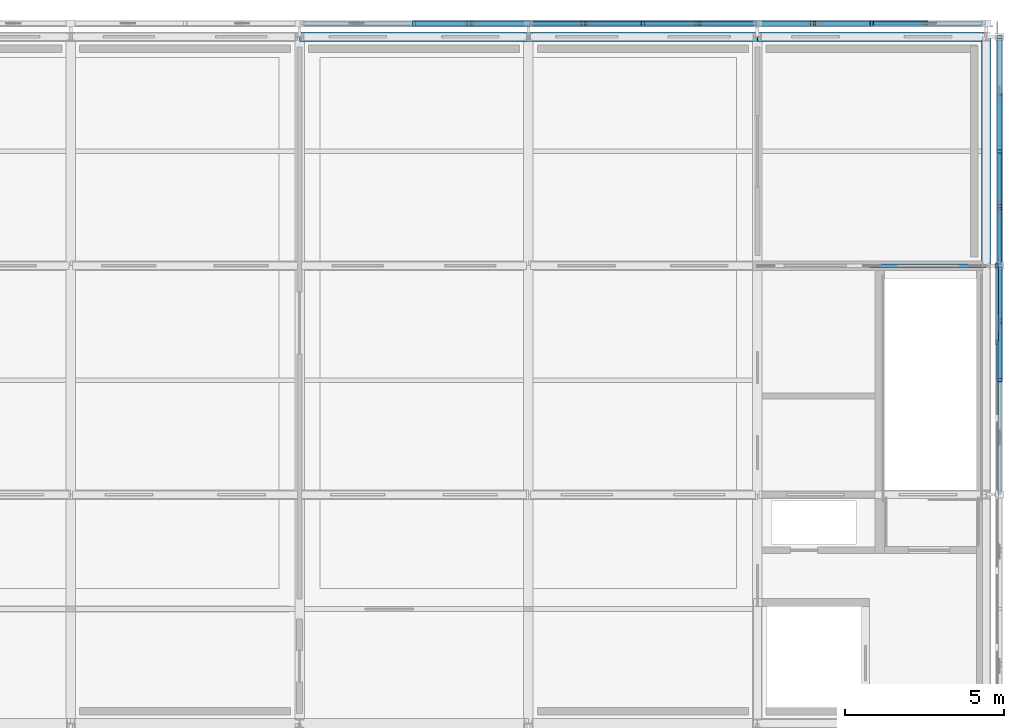
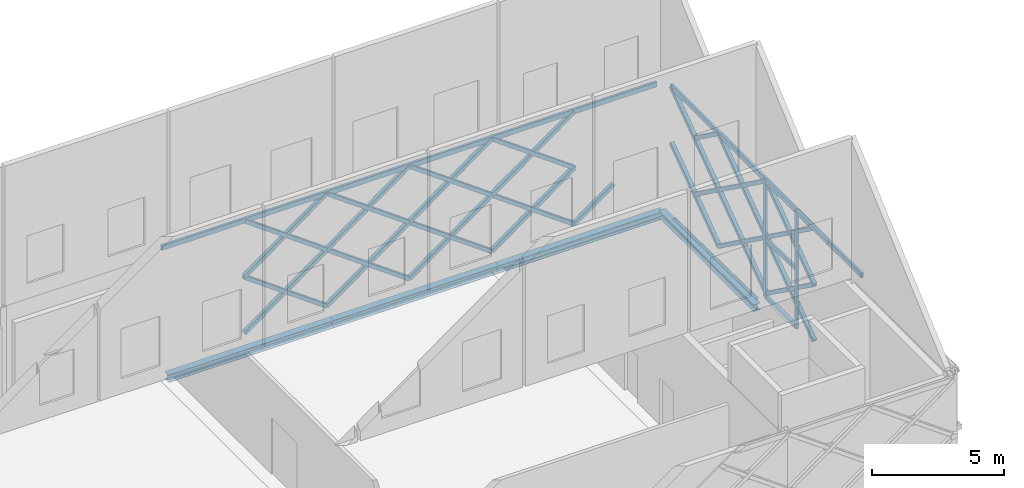
# One storey, part 17 of 31: 53 members, 4 beams, 1 element without a shape of its own.
"""IFC4 building model written with IfcOpenShell, lengths in metres."""

from ifc_helpers import new_model, si_unit, direction, frame, origin, origin_2d, place, context, subcontext, project, spatial, rectangle, hollow_rectangle, i_section, extrude, material, material_profile, profile_set, type_object, element, aggregate, save


model = new_model("IFC4")

# Units and contexts
model_context = context("Model", 3, precision=1e-05, world=origin(), true_north=direction((0.0, 1.0)))
body_context = subcontext(model_context, "Body", "Model", "MODEL_VIEW")
ifc_project = project(units=[si_unit("LENGTHUNIT", "METRE"), si_unit("AREAUNIT", "SQUARE_METRE"), si_unit("VOLUMEUNIT", "CUBIC_METRE"), si_unit("PLANEANGLEUNIT", "RADIAN"), si_unit("MASSUNIT", "GRAM", prefix="KILO")], contexts=[model_context])

# Site, building, storey
site_placement = place(None, origin())
site = spatial("IfcSite", under=ifc_project, at=site_placement, CompositionType="ELEMENT")
building_placement = place(site_placement, origin())
building = spatial("IfcBuilding", under=site, at=building_placement, Name="Zlatovets Crest Museum", CompositionType="ELEMENT")
storey_placement = place(building_placement, frame((0.0, 0.0, 25.199951171875)))
storey = spatial("IfcBuildingStorey", under=building, at=storey_placement, Name="L05", CompositionType="ELEMENT", Elevation=25.199951171875)

# Beams
ifc_material_1 = material(Name="Structural steel S355J2", Category="steel")
ifc_material_profile_1 = material_profile(ifc_material_1, i_section(OverallWidth=0.300048828125, OverallDepth=0.35009765625, WebThickness=0.010009765625, FlangeThickness=0.017578125, FilletRadius=0.027099609375, at=origin_2d()), Name="HEA 360")
ifc_profile_set_1 = profile_set([ifc_material_profile_1], Name="Structural steel S355J2")
beam_type_1 = type_object("IfcBeamType", Name="Beam_B-03", PredefinedType="BEAM", material=ifc_profile_set_1)
beam_1_placement = place(storey_placement, frame((86.39990234375, 115.199951171875, -0.4150390625), z_axis=(1.0, 0.0, 0.0), x_axis=(0.0, 1.0, 0.0)))
element("IfcBeam", 1, at=beam_1_placement, inside=storey, type_object=beam_type_1, Name="V1 L05 Primary Girder B-03", PredefinedType="BEAM", context=body_context, shape_type="SweptSolid", body=[
    extrude(i_section(OverallWidth=0.300048828125, OverallDepth=0.35009765625, WebThickness=0.010009765625, FlangeThickness=0.017578125, FilletRadius=0.027099609375, at=origin_2d()), origin(), (0.0, 0.0, 1.0), 7.2001953125),
])
for number, where, z_axis, x_axis, name in (
    (2, (93.60009765625, 115.199951171875, -0.4150390625), (1.0, 0.0, 0.0), (0.0, 1.0, 0.0), "V1 L05 Primary Girder B-03"),
    (3, (100.800048828125, 115.199951171875, -0.4150390625), (1.0, 0.0, 0.0), (0.0, 1.0, 0.0), "V1 L05 Primary Girder B-03"),
):
    element("IfcBeam", number, at=place(storey_placement, frame(where, z_axis=z_axis, x_axis=x_axis)), inside=storey, type_object=beam_type_1, Name=name, PredefinedType="BEAM", context=body_context, shape_type="SweptSolid", body=[
        extrude(i_section(OverallWidth=0.300048828125, OverallDepth=0.35009765625, WebThickness=0.010009765625, FlangeThickness=0.017578125, FilletRadius=0.027099609375, at=origin_2d()), origin(), (0.0, 0.0, 1.0), 7.199951171875),
    ])
ifc_material_profile_2 = material_profile(ifc_material_1, i_section(OverallWidth=0.300048828125, OverallDepth=0.31005859375, WebThickness=0.009033203125, FlangeThickness=0.015380859375, FilletRadius=0.027099609375, at=origin_2d()), Name="HEA 320")
ifc_profile_set_2 = profile_set([ifc_material_profile_2], Name="Structural steel S355J2")
beam_type_2 = type_object("IfcBeamType", Name="Beam_B-04", PredefinedType="BEAM", material=ifc_profile_set_2)
beam_2_placement = place(storey_placement, frame((108.0, 108.0, -0.39501953125), z_axis=(0.0, 1.0, 0.0), x_axis=(-1.0, 0.0, 0.0)))
element("IfcBeam", 4, at=beam_2_placement, inside=storey, type_object=beam_type_2, Name="V1 L05 Grid Beam B-04", PredefinedType="BEAM", context=body_context, shape_type="SweptSolid", body=[
    extrude(i_section(OverallWidth=0.300048828125, OverallDepth=0.31005859375, WebThickness=0.009033203125, FlangeThickness=0.015380859375, FilletRadius=0.027099609375, at=origin_2d()), origin(), (0.0, 0.0, 1.0), 7.199951171875),
])

# Curtain wall, members
ifc_material_2 = material(Name="Bronze-anodised aluminium and low-E triple glass", Category="aluminium")
curtain_wall_type = type_object("IfcCurtainWallType", Name="CW_CW-V1-L05-M0", PredefinedType="NOTDEFINED", material=ifc_material_2)
curtain_wall_placement = place(storey_placement, origin())
curtain_wall = element("IfcCurtainWall", 5, at=curtain_wall_placement, inside=storey, type_object=curtain_wall_type, Name="V1 L05 Expressed Core Glazed Facade", PredefinedType="NOTDEFINED")
ifc_material_3 = material(Name="Bronze-anodised aluminium EN AW-6060", Category="aluminium")
ifc_material_profile_3 = material_profile(ifc_material_3, rectangle(XDim=0.090087890625, YDim=0.199951171875, at=origin_2d()), Name="ALU 90x200")
ifc_profile_set_3 = profile_set([ifc_material_profile_3], Name="Bronze-anodised aluminium EN AW-6060")
member_type_1 = type_object("IfcMemberType", Name="CWMull_M2", PredefinedType="MULLION", material=ifc_profile_set_3)
member_1_placement = place(storey_placement, frame((108.340087890625, 105.60009765625, 0.0), z_axis=(0.0, 0.0, 1.0), x_axis=(-1.0, 0.0, 0.0)))
member_1 = element("IfcMember", 6, at=member_1_placement, type_object=member_type_1, Name="CW-V1-L05-M0 mullion 3", PredefinedType="MULLION", context=body_context, shape_type="SweptSolid", body=[
    extrude(rectangle(XDim=0.090087890625, YDim=0.199951171875, at=origin_2d()), origin(), (0.0, 0.0, 1.0), 5.400146484375),
])
member_2_placement = place(storey_placement, frame((108.340087890625, 107.969970703125, 0.0), z_axis=(0.0, 0.0, 1.0), x_axis=(-1.0, 0.0, 0.0)))
member_2 = element("IfcMember", 7, at=member_2_placement, type_object=member_type_1, Name="CW-V1-L05-M0 mullion 4", PredefinedType="MULLION", context=body_context, shape_type="SweptSolid", body=[
    extrude(rectangle(XDim=0.090087890625, YDim=0.199951171875, at=origin_2d()), origin(), (0.0, 0.0, 1.0), 5.400146484375),
])
ifc_material_profile_4 = material_profile(ifc_material_3, rectangle(XDim=0.090087890625, YDim=0.199951171875, at=origin_2d()), Name="ALU 90x200")
ifc_profile_set_4 = profile_set([ifc_material_profile_4], Name="Bronze-anodised aluminium EN AW-6060")
member_type_2 = type_object("IfcMemberType", Name="CWTrans_T2", PredefinedType="USERDEFINED", material=ifc_profile_set_4)
member_3_placement = place(storey_placement, frame((108.340087890625, 103.22998046875, 5.3701171875), z_axis=(0.0, 1.0, 0.0), x_axis=(-1.0, 0.0, 0.0)))
member_3 = element("IfcMember", 8, at=member_3_placement, type_object=member_type_2, Name="CW-V1-L05-M0 transom 2.3", ObjectType="TRANSOM", PredefinedType="USERDEFINED", context=body_context, shape_type="SweptSolid", body=[
    extrude(rectangle(XDim=0.090087890625, YDim=0.199951171875, at=origin_2d()), origin(), (0.0, 0.0, 1.0), 2.340087890625),
])
member_4_placement = place(storey_placement, frame((108.340087890625, 105.6298828125, 0.030029296875), z_axis=(0.0, 1.0, 0.0), x_axis=(-1.0, 0.0, 0.0)))
member_4 = element("IfcMember", 9, at=member_4_placement, type_object=member_type_2, Name="CW-V1-L05-M0 transom 3.1", ObjectType="TRANSOM", PredefinedType="USERDEFINED", context=body_context, shape_type="SweptSolid", body=[
    extrude(rectangle(XDim=0.090087890625, YDim=0.199951171875, at=origin_2d()), origin(), (0.0, 0.0, 1.0), 2.31005859375),
])
member_5_placement = place(storey_placement, frame((108.340087890625, 105.6298828125, 2.699951171875), z_axis=(0.0, 1.0, 0.0), x_axis=(-1.0, 0.0, 0.0)))
member_5 = element("IfcMember", 10, at=member_5_placement, type_object=member_type_2, Name="CW-V1-L05-M0 transom 3.2", ObjectType="TRANSOM", PredefinedType="USERDEFINED", context=body_context, shape_type="SweptSolid", body=[
    extrude(rectangle(XDim=0.090087890625, YDim=0.199951171875, at=origin_2d()), origin(), (0.0, 0.0, 1.0), 2.31005859375),
])
member_6_placement = place(storey_placement, frame((108.340087890625, 105.6298828125, 5.3701171875), z_axis=(0.0, 1.0, 0.0), x_axis=(-1.0, 0.0, 0.0)))
member_6 = element("IfcMember", 11, at=member_6_placement, type_object=member_type_2, Name="CW-V1-L05-M0 transom 3.3", ObjectType="TRANSOM", PredefinedType="USERDEFINED", context=body_context, shape_type="SweptSolid", body=[
    extrude(rectangle(XDim=0.090087890625, YDim=0.199951171875, at=origin_2d()), origin(), (0.0, 0.0, 1.0), 2.31005859375),
])
aggregate(curtain_wall, [member_1, member_2, member_3, member_4, member_5, member_6])

# Members
ifc_material_4 = material(Name="Weathering bronze-steel S355J2W", Category="steel")
ifc_material_profile_5 = material_profile(ifc_material_4, hollow_rectangle(XDim=0.179931640625, YDim=0.179931640625, WallThickness=0.010009765625, InnerFilletRadius=0.010009765625, OuterFilletRadius=0.02001953125, at=origin_2d()), Name="SHS 180x180x10.0")
ifc_profile_set_5 = profile_set([ifc_material_profile_5], Name="Weathering bronze-steel S355J2W")
member_type_3 = type_object("IfcMemberType", Name="Lattice_XL-01", PredefinedType="BRACE", material=ifc_profile_set_5)
member_7_placement = place(storey_placement, frame((108.419921875, 104.39990234375, 0.10009765625), z_axis=(0.0, 0.810702423259, 0.585458436545), x_axis=(-1.0, 0.0, 0.0)))
element("IfcMember", 12, at=member_7_placement, inside=storey, type_object=member_type_3, Name="Continuous Bronze Lattice Diagonal", PredefinedType="BRACE", context=body_context, shape_type="SweptSolid", body=[
    extrude(hollow_rectangle(XDim=0.179931640625, YDim=0.179931640625, WallThickness=0.010009765625, InnerFilletRadius=0.010009765625, OuterFilletRadius=0.02001953125, at=origin_2d()), origin(), (0.0, 0.0, 1.0), 4.440673828125),
])
member_8_placement = place(storey_placement, frame((108.419921875, 104.39990234375, 2.699951171875), z_axis=(0.0, 0.810703458452, -0.585457003079), x_axis=(-1.0, 0.0, 0.0)))
element("IfcMember", 13, at=member_8_placement, inside=storey, type_object=member_type_3, Name="Split Crossing Bronze Lattice Diagonal Upper", PredefinedType="BRACE", context=body_context, shape_type="SweptSolid", body=[
    extrude(hollow_rectangle(XDim=0.179931640625, YDim=0.179931640625, WallThickness=0.010009765625, InnerFilletRadius=0.010009765625, OuterFilletRadius=0.02001953125, at=origin_2d()), origin(), (0.0, 0.0, 1.0), 2.12548828125),
])
member_9_placement = place(storey_placement, frame((108.419921875, 106.277099609375, 1.344482421875), z_axis=(0.0, 0.810664082502, -0.585511524516), x_axis=(-1.0, 0.0, 0.0)))
element("IfcMember", 14, at=member_9_placement, inside=storey, type_object=member_type_3, Name="Split Crossing Bronze Lattice Diagonal Lower", PredefinedType="BRACE", context=body_context, shape_type="SweptSolid", body=[
    extrude(hollow_rectangle(XDim=0.179931640625, YDim=0.179931640625, WallThickness=0.010009765625, InnerFilletRadius=0.010009765625, OuterFilletRadius=0.02001953125, at=origin_2d()), origin(), (0.0, 0.0, 1.0), 2.125244140625),
])
member_10_placement = place(storey_placement, frame((108.419921875, 104.39990234375, 2.699951171875), z_axis=(0.0, 0.810676329046, 0.585494568313), x_axis=(-1.0, 0.0, 0.0)))
element("IfcMember", 15, at=member_10_placement, inside=storey, type_object=member_type_3, Name="Continuous Bronze Lattice Diagonal", PredefinedType="BRACE", context=body_context, shape_type="SweptSolid", body=[
    extrude(hollow_rectangle(XDim=0.179931640625, YDim=0.179931640625, WallThickness=0.010009765625, InnerFilletRadius=0.010009765625, OuterFilletRadius=0.02001953125, at=origin_2d()), origin(), (0.0, 0.0, 1.0), 4.44091796875),
])
member_11_placement = place(storey_placement, frame((108.419921875, 104.39990234375, 5.300048828125), z_axis=(0.0, 0.810703458452, -0.585457003079), x_axis=(-1.0, 0.0, 0.0)))
element("IfcMember", 16, at=member_11_placement, inside=storey, type_object=member_type_3, Name="Split Crossing Bronze Lattice Diagonal Upper", PredefinedType="BRACE", context=body_context, shape_type="SweptSolid", body=[
    extrude(hollow_rectangle(XDim=0.179931640625, YDim=0.179931640625, WallThickness=0.010009765625, InnerFilletRadius=0.010009765625, OuterFilletRadius=0.02001953125, at=origin_2d()), origin(), (0.0, 0.0, 1.0), 2.12548828125),
])
member_12_placement = place(storey_placement, frame((108.419921875, 106.277099609375, 3.9443359375), z_axis=(0.0, 0.810664082502, -0.585511524516), x_axis=(-1.0, 0.0, 0.0)))
element("IfcMember", 17, at=member_12_placement, inside=storey, type_object=member_type_3, Name="Split Crossing Bronze Lattice Diagonal Lower", PredefinedType="BRACE", context=body_context, shape_type="SweptSolid", body=[
    extrude(hollow_rectangle(XDim=0.179931640625, YDim=0.179931640625, WallThickness=0.010009765625, InnerFilletRadius=0.010009765625, OuterFilletRadius=0.02001953125, at=origin_2d()), origin(), (0.0, 0.0, 1.0), 2.125244140625),
])
member_13_placement = place(storey_placement, frame((108.419921875, 108.0, 0.10009765625), z_axis=(0.0, 0.810702423259, 0.585458436545), x_axis=(-1.0, 0.0, 0.0)))
element("IfcMember", 18, at=member_13_placement, inside=storey, type_object=member_type_3, Name="Continuous Bronze Lattice Diagonal", PredefinedType="BRACE", context=body_context, shape_type="SweptSolid", body=[
    extrude(hollow_rectangle(XDim=0.179931640625, YDim=0.179931640625, WallThickness=0.010009765625, InnerFilletRadius=0.010009765625, OuterFilletRadius=0.02001953125, at=origin_2d()), origin(), (0.0, 0.0, 1.0), 4.440673828125),
])
member_14_placement = place(storey_placement, frame((108.419921875, 108.0, 2.699951171875), z_axis=(0.0, 0.810664082502, -0.585511524516), x_axis=(-1.0, 0.0, 0.0)))
element("IfcMember", 19, at=member_14_placement, inside=storey, type_object=member_type_3, Name="Split Crossing Bronze Lattice Diagonal Upper", PredefinedType="BRACE", context=body_context, shape_type="SweptSolid", body=[
    extrude(hollow_rectangle(XDim=0.179931640625, YDim=0.179931640625, WallThickness=0.010009765625, InnerFilletRadius=0.010009765625, OuterFilletRadius=0.02001953125, at=origin_2d()), origin(), (0.0, 0.0, 1.0), 2.125244140625),
])
member_15_placement = place(storey_placement, frame((108.419921875, 109.876953125, 1.344482421875), z_axis=(0.0, 0.810703458452, -0.585457003079), x_axis=(-1.0, 0.0, 0.0)))
element("IfcMember", 20, at=member_15_placement, inside=storey, type_object=member_type_3, Name="Split Crossing Bronze Lattice Diagonal Lower", PredefinedType="BRACE", context=body_context, shape_type="SweptSolid", body=[
    extrude(hollow_rectangle(XDim=0.179931640625, YDim=0.179931640625, WallThickness=0.010009765625, InnerFilletRadius=0.010009765625, OuterFilletRadius=0.02001953125, at=origin_2d()), origin(), (0.0, 0.0, 1.0), 2.12548828125),
])
member_16_placement = place(storey_placement, frame((108.419921875, 111.60009765625, 0.10009765625), z_axis=(0.0, 0.810683577727, 0.585484531652), x_axis=(-1.0, 0.0, 0.0)))
element("IfcMember", 21, at=member_16_placement, inside=storey, type_object=member_type_3, Name="Continuous Bronze Lattice Diagonal", PredefinedType="BRACE", context=body_context, shape_type="SweptSolid", body=[
    extrude(hollow_rectangle(XDim=0.179931640625, YDim=0.179931640625, WallThickness=0.010009765625, InnerFilletRadius=0.010009765625, OuterFilletRadius=0.02001953125, at=origin_2d()), origin(), (0.0, 0.0, 1.0), 4.4404296875),
])
member_17_placement = place(storey_placement, frame((108.419921875, 111.60009765625, 2.699951171875), z_axis=(0.0, 0.810664082502, -0.585511524516), x_axis=(-1.0, 0.0, 0.0)))
element("IfcMember", 22, at=member_17_placement, inside=storey, type_object=member_type_3, Name="Split Crossing Bronze Lattice Diagonal Upper", PredefinedType="BRACE", context=body_context, shape_type="SweptSolid", body=[
    extrude(hollow_rectangle(XDim=0.179931640625, YDim=0.179931640625, WallThickness=0.010009765625, InnerFilletRadius=0.010009765625, OuterFilletRadius=0.02001953125, at=origin_2d()), origin(), (0.0, 0.0, 1.0), 2.125244140625),
])
member_18_placement = place(storey_placement, frame((108.419921875, 108.0, 2.699951171875), z_axis=(0.0, 0.810676329046, 0.585494568313), x_axis=(-1.0, 0.0, 0.0)))
element("IfcMember", 23, at=member_18_placement, inside=storey, type_object=member_type_3, Name="Continuous Bronze Lattice Diagonal", PredefinedType="BRACE", context=body_context, shape_type="SweptSolid", body=[
    extrude(hollow_rectangle(XDim=0.179931640625, YDim=0.179931640625, WallThickness=0.010009765625, InnerFilletRadius=0.010009765625, OuterFilletRadius=0.02001953125, at=origin_2d()), origin(), (0.0, 0.0, 1.0), 4.44091796875),
])
member_19_placement = place(storey_placement, frame((108.419921875, 108.0, 5.300048828125), z_axis=(0.0, 0.810664082502, -0.585511524516), x_axis=(-1.0, 0.0, 0.0)))
element("IfcMember", 24, at=member_19_placement, inside=storey, type_object=member_type_3, Name="Split Crossing Bronze Lattice Diagonal Upper", PredefinedType="BRACE", context=body_context, shape_type="SweptSolid", body=[
    extrude(hollow_rectangle(XDim=0.179931640625, YDim=0.179931640625, WallThickness=0.010009765625, InnerFilletRadius=0.010009765625, OuterFilletRadius=0.02001953125, at=origin_2d()), origin(), (0.0, 0.0, 1.0), 2.125244140625),
])
member_20_placement = place(storey_placement, frame((108.419921875, 109.876953125, 3.9443359375), z_axis=(0.0, 0.810703458452, -0.585457003079), x_axis=(-1.0, 0.0, 0.0)))
element("IfcMember", 25, at=member_20_placement, inside=storey, type_object=member_type_3, Name="Split Crossing Bronze Lattice Diagonal Lower", PredefinedType="BRACE", context=body_context, shape_type="SweptSolid", body=[
    extrude(hollow_rectangle(XDim=0.179931640625, YDim=0.179931640625, WallThickness=0.010009765625, InnerFilletRadius=0.010009765625, OuterFilletRadius=0.02001953125, at=origin_2d()), origin(), (0.0, 0.0, 1.0), 2.12548828125),
])
member_21_placement = place(storey_placement, frame((108.419921875, 111.60009765625, 2.699951171875), z_axis=(0.0, 0.810657481794, 0.585520663351), x_axis=(-1.0, 0.0, 0.0)))
element("IfcMember", 26, at=member_21_placement, inside=storey, type_object=member_type_3, Name="Continuous Bronze Lattice Diagonal", PredefinedType="BRACE", context=body_context, shape_type="SweptSolid", body=[
    extrude(hollow_rectangle(XDim=0.179931640625, YDim=0.179931640625, WallThickness=0.010009765625, InnerFilletRadius=0.010009765625, OuterFilletRadius=0.02001953125, at=origin_2d()), origin(), (0.0, 0.0, 1.0), 4.440673828125),
])
member_22_placement = place(storey_placement, frame((108.419921875, 111.60009765625, 5.300048828125), z_axis=(0.0, 0.810664082502, -0.585511524516), x_axis=(-1.0, 0.0, 0.0)))
element("IfcMember", 27, at=member_22_placement, inside=storey, type_object=member_type_3, Name="Split Crossing Bronze Lattice Diagonal Upper", PredefinedType="BRACE", context=body_context, shape_type="SweptSolid", body=[
    extrude(hollow_rectangle(XDim=0.179931640625, YDim=0.179931640625, WallThickness=0.010009765625, InnerFilletRadius=0.010009765625, OuterFilletRadius=0.02001953125, at=origin_2d()), origin(), (0.0, 0.0, 1.0), 2.125244140625),
])
member_23_placement = place(storey_placement, frame((106.123046875, 115.6201171875, 1.344482421875), z_axis=(-0.810703458452, 0.0, -0.585457003079), x_axis=(0.0, -1.0, 0.0)))
element("IfcMember", 28, at=member_23_placement, inside=storey, type_object=member_type_3, Name="Split Crossing Bronze Lattice Diagonal Lower", PredefinedType="BRACE", context=body_context, shape_type="SweptSolid", body=[
    extrude(hollow_rectangle(XDim=0.179931640625, YDim=0.179931640625, WallThickness=0.010009765625, InnerFilletRadius=0.010009765625, OuterFilletRadius=0.02001953125, at=origin_2d()), origin(), (0.0, 0.0, 1.0), 2.12548828125),
])
member_24_placement = place(storey_placement, frame((104.39990234375, 115.6201171875, 0.10009765625), z_axis=(-0.810683577727, 0.0, 0.585484531652), x_axis=(0.0, -1.0, 0.0)))
element("IfcMember", 29, at=member_24_placement, inside=storey, type_object=member_type_3, Name="Continuous Bronze Lattice Diagonal", PredefinedType="BRACE", context=body_context, shape_type="SweptSolid", body=[
    extrude(hollow_rectangle(XDim=0.179931640625, YDim=0.179931640625, WallThickness=0.010009765625, InnerFilletRadius=0.010009765625, OuterFilletRadius=0.02001953125, at=origin_2d()), origin(), (0.0, 0.0, 1.0), 4.4404296875),
])
for number, where, z_axis, x_axis, name in (
    (30, (104.39990234375, 115.6201171875, 2.699951171875), (-0.810664082502, 0.0, -0.585511524516), (0.0, -1.0, 0.0), "Split Crossing Bronze Lattice Diagonal Upper"),
    (31, (102.52294921875, 115.6201171875, 1.344482421875), (-0.810664082502, 0.0, -0.585511524516), (0.0, -1.0, 0.0), "Split Crossing Bronze Lattice Diagonal Lower"),
):
    element("IfcMember", number, at=place(storey_placement, frame(where, z_axis=z_axis, x_axis=x_axis)), inside=storey, type_object=member_type_3, Name=name, PredefinedType="BRACE", context=body_context, shape_type="SweptSolid", body=[
        extrude(hollow_rectangle(XDim=0.179931640625, YDim=0.179931640625, WallThickness=0.010009765625, InnerFilletRadius=0.010009765625, OuterFilletRadius=0.02001953125, at=origin_2d()), origin(), (0.0, 0.0, 1.0), 2.125244140625),
    ])
member_25_placement = place(storey_placement, frame((104.39990234375, 115.6201171875, 2.699951171875), z_axis=(-0.810657481794, 0.0, 0.585520663351), x_axis=(0.0, -1.0, 0.0)))
element("IfcMember", 32, at=member_25_placement, inside=storey, type_object=member_type_3, Name="Continuous Bronze Lattice Diagonal", PredefinedType="BRACE", context=body_context, shape_type="SweptSolid", body=[
    extrude(hollow_rectangle(XDim=0.179931640625, YDim=0.179931640625, WallThickness=0.010009765625, InnerFilletRadius=0.010009765625, OuterFilletRadius=0.02001953125, at=origin_2d()), origin(), (0.0, 0.0, 1.0), 4.440673828125),
])
for number, where, z_axis, x_axis, name in (
    (33, (104.39990234375, 115.6201171875, 5.300048828125), (-0.810664082502, 0.0, -0.585511524516), (0.0, -1.0, 0.0), "Split Crossing Bronze Lattice Diagonal Upper"),
    (34, (102.52294921875, 115.6201171875, 3.9443359375), (-0.810664082502, 0.0, -0.585511524516), (0.0, -1.0, 0.0), "Split Crossing Bronze Lattice Diagonal Lower"),
):
    element("IfcMember", number, at=place(storey_placement, frame(where, z_axis=z_axis, x_axis=x_axis)), inside=storey, type_object=member_type_3, Name=name, PredefinedType="BRACE", context=body_context, shape_type="SweptSolid", body=[
        extrude(hollow_rectangle(XDim=0.179931640625, YDim=0.179931640625, WallThickness=0.010009765625, InnerFilletRadius=0.010009765625, OuterFilletRadius=0.02001953125, at=origin_2d()), origin(), (0.0, 0.0, 1.0), 2.125244140625),
    ])
member_26_placement = place(storey_placement, frame((100.800048828125, 115.6201171875, 0.10009765625), z_axis=(-0.810702423259, 0.0, 0.585458436545), x_axis=(0.0, -1.0, 0.0)))
element("IfcMember", 35, at=member_26_placement, inside=storey, type_object=member_type_3, Name="Continuous Bronze Lattice Diagonal", PredefinedType="BRACE", context=body_context, shape_type="SweptSolid", body=[
    extrude(hollow_rectangle(XDim=0.179931640625, YDim=0.179931640625, WallThickness=0.010009765625, InnerFilletRadius=0.010009765625, OuterFilletRadius=0.02001953125, at=origin_2d()), origin(), (0.0, 0.0, 1.0), 4.440673828125),
])
for number, where, z_axis, x_axis, name in (
    (36, (100.800048828125, 115.6201171875, 2.699951171875), (-0.810703458452, 0.0, -0.585457003079), (0.0, -1.0, 0.0), "Split Crossing Bronze Lattice Diagonal Upper"),
    (37, (98.923095703125, 115.6201171875, 1.344482421875), (-0.810703458452, 0.0, -0.585457003079), (0.0, -1.0, 0.0), "Split Crossing Bronze Lattice Diagonal Lower"),
):
    element("IfcMember", number, at=place(storey_placement, frame(where, z_axis=z_axis, x_axis=x_axis)), inside=storey, type_object=member_type_3, Name=name, PredefinedType="BRACE", context=body_context, shape_type="SweptSolid", body=[
        extrude(hollow_rectangle(XDim=0.179931640625, YDim=0.179931640625, WallThickness=0.010009765625, InnerFilletRadius=0.010009765625, OuterFilletRadius=0.02001953125, at=origin_2d()), origin(), (0.0, 0.0, 1.0), 2.12548828125),
    ])
member_27_placement = place(storey_placement, frame((97.199951171875, 115.6201171875, 0.10009765625), z_axis=(-0.810683577727, 0.0, 0.585484531652), x_axis=(0.0, -1.0, 0.0)))
element("IfcMember", 38, at=member_27_placement, inside=storey, type_object=member_type_3, Name="Continuous Bronze Lattice Diagonal", PredefinedType="BRACE", context=body_context, shape_type="SweptSolid", body=[
    extrude(hollow_rectangle(XDim=0.179931640625, YDim=0.179931640625, WallThickness=0.010009765625, InnerFilletRadius=0.010009765625, OuterFilletRadius=0.02001953125, at=origin_2d()), origin(), (0.0, 0.0, 1.0), 4.4404296875),
])
for number, where, z_axis, x_axis, name in (
    (39, (97.199951171875, 115.6201171875, 2.699951171875), (-0.810664082502, 0.0, -0.585511524516), (0.0, -1.0, 0.0), "Split Crossing Bronze Lattice Diagonal Upper"),
    (40, (95.322998046875, 115.6201171875, 1.344482421875), (-0.810664082502, 0.0, -0.585511524516), (0.0, -1.0, 0.0), "Split Crossing Bronze Lattice Diagonal Lower"),
):
    element("IfcMember", number, at=place(storey_placement, frame(where, z_axis=z_axis, x_axis=x_axis)), inside=storey, type_object=member_type_3, Name=name, PredefinedType="BRACE", context=body_context, shape_type="SweptSolid", body=[
        extrude(hollow_rectangle(XDim=0.179931640625, YDim=0.179931640625, WallThickness=0.010009765625, InnerFilletRadius=0.010009765625, OuterFilletRadius=0.02001953125, at=origin_2d()), origin(), (0.0, 0.0, 1.0), 2.125244140625),
    ])
member_28_placement = place(storey_placement, frame((100.800048828125, 115.6201171875, 2.699951171875), z_axis=(-0.810676329046, 0.0, 0.585494568313), x_axis=(0.0, -1.0, 0.0)))
element("IfcMember", 41, at=member_28_placement, inside=storey, type_object=member_type_3, Name="Continuous Bronze Lattice Diagonal", PredefinedType="BRACE", context=body_context, shape_type="SweptSolid", body=[
    extrude(hollow_rectangle(XDim=0.179931640625, YDim=0.179931640625, WallThickness=0.010009765625, InnerFilletRadius=0.010009765625, OuterFilletRadius=0.02001953125, at=origin_2d()), origin(), (0.0, 0.0, 1.0), 4.44091796875),
])
for number, where, z_axis, x_axis, name in (
    (42, (100.800048828125, 115.6201171875, 5.300048828125), (-0.810703458452, 0.0, -0.585457003079), (0.0, -1.0, 0.0), "Split Crossing Bronze Lattice Diagonal Upper"),
    (43, (98.923095703125, 115.6201171875, 3.9443359375), (-0.810703458452, 0.0, -0.585457003079), (0.0, -1.0, 0.0), "Split Crossing Bronze Lattice Diagonal Lower"),
):
    element("IfcMember", number, at=place(storey_placement, frame(where, z_axis=z_axis, x_axis=x_axis)), inside=storey, type_object=member_type_3, Name=name, PredefinedType="BRACE", context=body_context, shape_type="SweptSolid", body=[
        extrude(hollow_rectangle(XDim=0.179931640625, YDim=0.179931640625, WallThickness=0.010009765625, InnerFilletRadius=0.010009765625, OuterFilletRadius=0.02001953125, at=origin_2d()), origin(), (0.0, 0.0, 1.0), 2.12548828125),
    ])
member_29_placement = place(storey_placement, frame((97.199951171875, 115.6201171875, 2.699951171875), z_axis=(-0.810657481794, 0.0, 0.585520663351), x_axis=(0.0, -1.0, 0.0)))
element("IfcMember", 44, at=member_29_placement, inside=storey, type_object=member_type_3, Name="Continuous Bronze Lattice Diagonal", PredefinedType="BRACE", context=body_context, shape_type="SweptSolid", body=[
    extrude(hollow_rectangle(XDim=0.179931640625, YDim=0.179931640625, WallThickness=0.010009765625, InnerFilletRadius=0.010009765625, OuterFilletRadius=0.02001953125, at=origin_2d()), origin(), (0.0, 0.0, 1.0), 4.440673828125),
])
for number, where, z_axis, x_axis, name in (
    (45, (97.199951171875, 115.6201171875, 5.300048828125), (-0.810664082502, 0.0, -0.585511524516), (0.0, -1.0, 0.0), "Split Crossing Bronze Lattice Diagonal Upper"),
    (46, (95.322998046875, 115.6201171875, 3.9443359375), (-0.810664082502, 0.0, -0.585511524516), (0.0, -1.0, 0.0), "Split Crossing Bronze Lattice Diagonal Lower"),
):
    element("IfcMember", number, at=place(storey_placement, frame(where, z_axis=z_axis, x_axis=x_axis)), inside=storey, type_object=member_type_3, Name=name, PredefinedType="BRACE", context=body_context, shape_type="SweptSolid", body=[
        extrude(hollow_rectangle(XDim=0.179931640625, YDim=0.179931640625, WallThickness=0.010009765625, InnerFilletRadius=0.010009765625, OuterFilletRadius=0.02001953125, at=origin_2d()), origin(), (0.0, 0.0, 1.0), 2.125244140625),
    ])
member_30_placement = place(storey_placement, frame((93.60009765625, 115.6201171875, 0.10009765625), z_axis=(-0.810702423259, 0.0, 0.585458436545), x_axis=(0.0, -1.0, 0.0)))
element("IfcMember", 47, at=member_30_placement, inside=storey, type_object=member_type_3, Name="Continuous Bronze Lattice Diagonal", PredefinedType="BRACE", context=body_context, shape_type="SweptSolid", body=[
    extrude(hollow_rectangle(XDim=0.179931640625, YDim=0.179931640625, WallThickness=0.010009765625, InnerFilletRadius=0.010009765625, OuterFilletRadius=0.02001953125, at=origin_2d()), origin(), (0.0, 0.0, 1.0), 4.440673828125),
])
member_31_placement = place(storey_placement, frame((93.60009765625, 115.6201171875, 2.699951171875), z_axis=(-0.810703458452, 0.0, -0.585457003079), x_axis=(0.0, -1.0, 0.0)))
element("IfcMember", 48, at=member_31_placement, inside=storey, type_object=member_type_3, Name="Split Crossing Bronze Lattice Diagonal Upper", PredefinedType="BRACE", context=body_context, shape_type="SweptSolid", body=[
    extrude(hollow_rectangle(XDim=0.179931640625, YDim=0.179931640625, WallThickness=0.010009765625, InnerFilletRadius=0.010009765625, OuterFilletRadius=0.02001953125, at=origin_2d()), origin(), (0.0, 0.0, 1.0), 2.12548828125),
])
member_32_placement = place(storey_placement, frame((91.722900390625, 115.6201171875, 1.344482421875), z_axis=(-0.810664082502, 0.0, -0.585511524516), x_axis=(0.0, -1.0, 0.0)))
element("IfcMember", 49, at=member_32_placement, inside=storey, type_object=member_type_3, Name="Split Crossing Bronze Lattice Diagonal Lower", PredefinedType="BRACE", context=body_context, shape_type="SweptSolid", body=[
    extrude(hollow_rectangle(XDim=0.179931640625, YDim=0.179931640625, WallThickness=0.010009765625, InnerFilletRadius=0.010009765625, OuterFilletRadius=0.02001953125, at=origin_2d()), origin(), (0.0, 0.0, 1.0), 2.125244140625),
])
member_33_placement = place(storey_placement, frame((93.60009765625, 115.6201171875, 2.699951171875), z_axis=(-0.810676329046, 0.0, 0.585494568313), x_axis=(0.0, -1.0, 0.0)))
element("IfcMember", 50, at=member_33_placement, inside=storey, type_object=member_type_3, Name="Continuous Bronze Lattice Diagonal", PredefinedType="BRACE", context=body_context, shape_type="SweptSolid", body=[
    extrude(hollow_rectangle(XDim=0.179931640625, YDim=0.179931640625, WallThickness=0.010009765625, InnerFilletRadius=0.010009765625, OuterFilletRadius=0.02001953125, at=origin_2d()), origin(), (0.0, 0.0, 1.0), 4.44091796875),
])
member_34_placement = place(storey_placement, frame((93.60009765625, 115.6201171875, 5.300048828125), z_axis=(-0.810703458452, 0.0, -0.585457003079), x_axis=(0.0, -1.0, 0.0)))
element("IfcMember", 51, at=member_34_placement, inside=storey, type_object=member_type_3, Name="Split Crossing Bronze Lattice Diagonal Upper", PredefinedType="BRACE", context=body_context, shape_type="SweptSolid", body=[
    extrude(hollow_rectangle(XDim=0.179931640625, YDim=0.179931640625, WallThickness=0.010009765625, InnerFilletRadius=0.010009765625, OuterFilletRadius=0.02001953125, at=origin_2d()), origin(), (0.0, 0.0, 1.0), 2.12548828125),
])
member_35_placement = place(storey_placement, frame((91.722900390625, 115.6201171875, 3.9443359375), z_axis=(-0.810664082502, 0.0, -0.585511524516), x_axis=(0.0, -1.0, 0.0)))
element("IfcMember", 52, at=member_35_placement, inside=storey, type_object=member_type_3, Name="Split Crossing Bronze Lattice Diagonal Lower", PredefinedType="BRACE", context=body_context, shape_type="SweptSolid", body=[
    extrude(hollow_rectangle(XDim=0.179931640625, YDim=0.179931640625, WallThickness=0.010009765625, InnerFilletRadius=0.010009765625, OuterFilletRadius=0.02001953125, at=origin_2d()), origin(), (0.0, 0.0, 1.0), 2.125244140625),
])
ifc_material_profile_6 = material_profile(ifc_material_4, hollow_rectangle(XDim=0.1201171875, YDim=0.239990234375, WallThickness=0.010009765625, InnerFilletRadius=0.010009765625, OuterFilletRadius=0.02001953125, at=origin_2d()), Name="RHS 120x240x10.0")
ifc_profile_set_6 = profile_set([ifc_material_profile_6], Name="Weathering bronze-steel S355J2W")
member_type_4 = type_object("IfcMemberType", Name="Lattice_XL-04", PredefinedType="CHORD", material=ifc_profile_set_6)
for number, where, z_axis, x_axis, name in (
    (53, (108.419921875, 100.800048828125, 5.300048828125), (0.0, 1.0, 0.0), (-1.0, 0.0, 0.0), "Art Nouveau Woven Cage Collector Ring Chord"),
    (54, (108.419921875, 108.0, 5.300048828125), (0.0, 1.0, 0.0), (-1.0, 0.0, 0.0), "Art Nouveau Woven Cage Collector Ring Chord"),
    (55, (108.0, 115.6201171875, 5.300048828125), (-1.0, 0.0, 0.0), (0.0, -1.0, 0.0), "Art Nouveau Woven Cage Collector Ring Chord"),
    (56, (100.800048828125, 115.6201171875, 5.300048828125), (-1.0, 0.0, 0.0), (0.0, -1.0, 0.0), "Art Nouveau Woven Cage Collector Ring Chord"),
):
    element("IfcMember", number, at=place(storey_placement, frame(where, z_axis=z_axis, x_axis=x_axis)), inside=storey, type_object=member_type_4, Name=name, PredefinedType="CHORD", context=body_context, shape_type="SweptSolid", body=[
        extrude(hollow_rectangle(XDim=0.1201171875, YDim=0.239990234375, WallThickness=0.010009765625, InnerFilletRadius=0.010009765625, OuterFilletRadius=0.02001953125, at=origin_2d()), origin(), (0.0, 0.0, 1.0), 7.199951171875),
    ])
member_36_placement = place(storey_placement, frame((93.60009765625, 115.6201171875, 5.300048828125), z_axis=(-1.0, 0.0, 0.0), x_axis=(0.0, -1.0, 0.0)))
element("IfcMember", 57, at=member_36_placement, inside=storey, type_object=member_type_4, Name="Art Nouveau Woven Cage Collector Ring Chord", PredefinedType="CHORD", context=body_context, shape_type="SweptSolid", body=[
    extrude(hollow_rectangle(XDim=0.1201171875, YDim=0.239990234375, WallThickness=0.010009765625, InnerFilletRadius=0.010009765625, OuterFilletRadius=0.02001953125, at=origin_2d()), origin(), (0.0, 0.0, 1.0), 7.2001953125),
])
ifc_material_profile_7 = material_profile(ifc_material_1, hollow_rectangle(XDim=0.1201171875, YDim=0.1201171875, WallThickness=0.008056640625, InnerFilletRadius=0.008056640625, OuterFilletRadius=0.01611328125, at=origin_2d()), Name="SHS 120x120x8.0")
ifc_profile_set_7 = profile_set([ifc_material_profile_7], Name="Structural steel S355J2")
member_type_5 = type_object("IfcMemberType", Name="Member_BR-05", PredefinedType="BRACE", material=ifc_profile_set_7)
member_37_placement = place(storey_placement, frame((108.0, 108.0, 0.0), z_axis=(-0.588185927837, 0.0, 0.808725734903), x_axis=(0.0, -1.0, 0.0)))
element("IfcMember", 58, at=member_37_placement, inside=storey, type_object=member_type_5, Name="V1 L05 Concentric Seismic Brace", PredefinedType="BRACE", context=body_context, shape_type="SweptSolid", body=[
    extrude(hollow_rectangle(XDim=0.1201171875, YDim=0.1201171875, WallThickness=0.008056640625, InnerFilletRadius=0.008056640625, OuterFilletRadius=0.01611328125, at=origin_2d()), origin(), (0.0, 0.0, 1.0), 6.12060546875),
])

save(model, "model.ifc")
